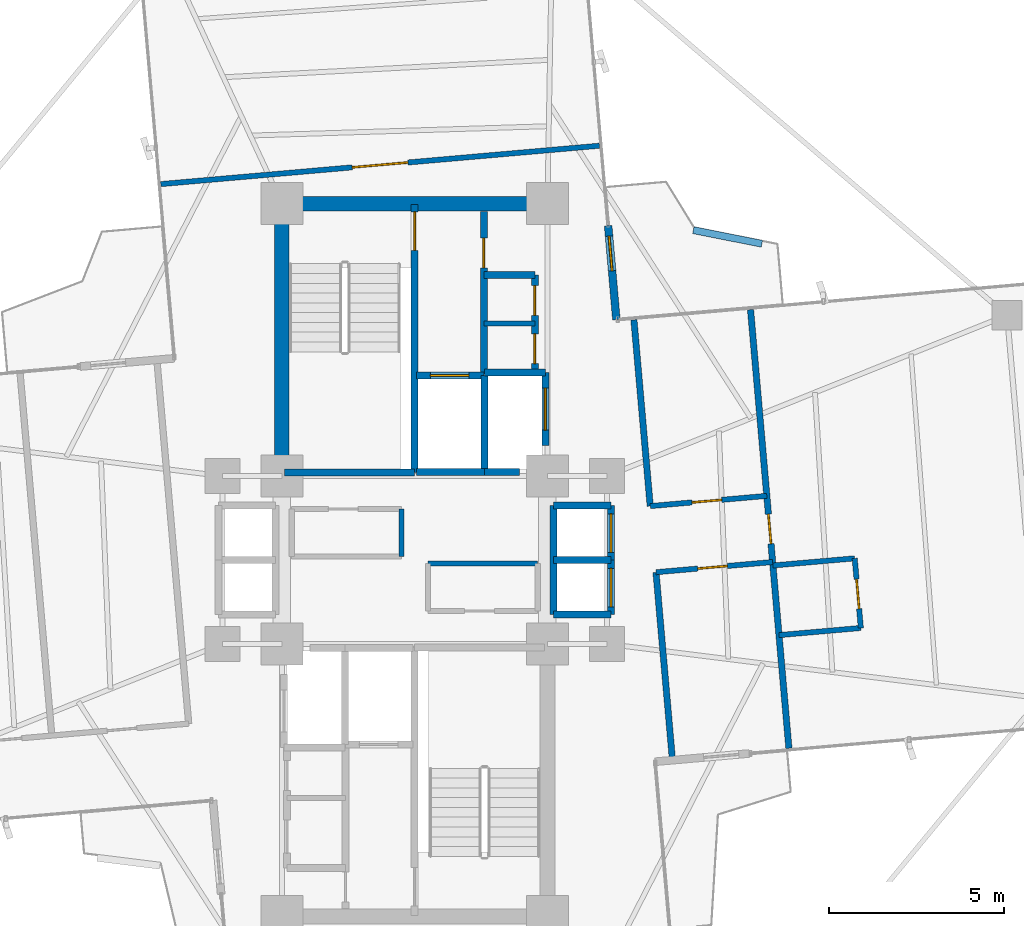
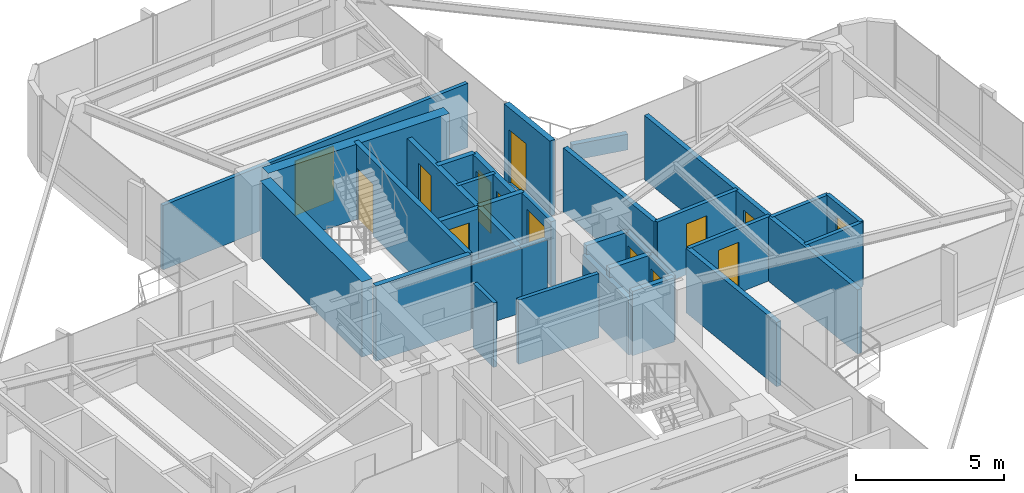
# One storey, part 22 of 24: 33 walls, 14 doors, 14 openings.
"""IFC4 building model written with IfcOpenShell, lengths in metres."""

from ifc_helpers import new_model, si_unit, direction, frame, frame_2d, origin, origin_2d, place, context, subcontext, project, spatial, rectangle, extrude, source, transform, mapped, material, layer, layer_set, type_object, element, fill, save


model = new_model("IFC4")

# Units and contexts
model_context = context("Model", 3, precision=1e-05, world=origin(), true_north=direction((0.0, 1.0)))
body_context = subcontext(model_context, "Body", "Model", "MODEL_VIEW")
ifc_project = project(units=[si_unit("LENGTHUNIT", "METRE"), si_unit("AREAUNIT", "SQUARE_METRE"), si_unit("VOLUMEUNIT", "CUBIC_METRE"), si_unit("PLANEANGLEUNIT", "RADIAN"), si_unit("MASSUNIT", "GRAM", prefix="KILO")], contexts=[model_context])

# Site, building, storey
site_placement = place(None, origin())
site = spatial("IfcSite", under=ifc_project, at=site_placement, CompositionType="ELEMENT")
building_placement = place(site_placement, origin())
building = spatial("IfcBuilding", under=site, at=building_placement, Name="Sahyath Konkavel Grand Hotel", CompositionType="ELEMENT")
storey_placement = place(building_placement, frame((0.0, 0.0, 195.300048828125)))
storey = spatial("IfcBuildingStorey", under=building, at=storey_placement, Name="L54", CompositionType="ELEMENT", Elevation=195.300048828125)

# Walls
ifc_material_1 = material(Name="Concrete C50/60", Category="concrete")
ifc_layer_1 = layer(ifc_material_1, 0.419921875)
ifc_layer_set_1 = layer_set([ifc_layer_1], Name="Concrete C50/60")
wall_type_1 = type_object("IfcWallType", Name="CWALL-420", PredefinedType="SHEAR", material=ifc_layer_set_1)
wall_1_placement = place(storey_placement, frame((-3.550048828125, 10.199951171875, 0.0), z_axis=(0.0, 0.0, 1.0), x_axis=(1.0, 0.0, 0.0)))
element("IfcWall", 1, at=wall_1_placement, inside=storey, type_object=wall_type_1, Name="L54 North Core Shear Wall N", PredefinedType="SHEAR", context=body_context, shape_type="SweptSolid", body=[
    extrude(rectangle(XDim=7.10009765625, YDim=0.419921875, at=frame_2d((3.550048828125, 0.0))), origin(), (0.0, 0.0, 1.0), 3.10986328125),
])
wall_2_placement = place(storey_placement, frame((-3.800048828125, 2.85009765625, 0.0), z_axis=(0.0, 0.0, 1.0), x_axis=(0.0, 1.0, 0.0)))
element("IfcWall", 2, at=wall_2_placement, inside=storey, type_object=wall_type_1, Name="L54 North Core Shear Wall W", PredefinedType="SHEAR", context=body_context, shape_type="SweptSolid", body=[
    extrude(rectangle(XDim=6.89990234375, YDim=0.419921875, at=frame_2d((3.449951171875, 0.0))), origin(), (0.0, 0.0, 1.0), 3.10986328125),
])

# Wall, opening, door
ifc_material_2 = material(Name="Warm Buff Sandstone Insulated Concrete C40/50", Category="masonry")
ifc_layer_2 = layer(ifc_material_2, 0.219970703125)
ifc_layer_set_2 = layer_set([ifc_layer_2], Name="Warm Buff Sandstone Insulated Concrete C40/50")
wall_type_2 = type_object("IfcWallType", Name="WLL-BALC-THRESH", PredefinedType="STANDARD", material=ifc_layer_set_2)
wall_3_placement = place(storey_placement, frame((5.7724609375, 6.87939453125, 0.0), z_axis=(0.0, 0.0, 1.0), x_axis=(-0.087168071984, 0.996193619346, 0.0)))
wall_3 = element("IfcWall", 3, at=wall_3_placement, inside=storey, type_object=wall_type_2, Name="L54 Winter-Garden Threshold Wall 8", PredefinedType="STANDARD", context=body_context, shape_type="SweptSolid", body=[
    extrude(rectangle(XDim=2.699951171875, YDim=0.219970703125, at=frame_2d((1.35009765625, 0.0))), origin(), (0.0, 0.0, 1.0), 3.10986328125),
])
opening_1_placement = place(wall_3_placement, frame((1.39990234375, 0.0, 0.0)))
opening_1 = element("IfcOpeningElement", 4, at=opening_1_placement, cuts=wall_3, Name="Opening D-TR1", PredefinedType="OPENING", context=body_context, shape_type="SweptSolid", body=[
    extrude(rectangle(XDim=1.0, YDim=2.199951171875, at=frame_2d((0.5, 1.10009765625))), frame((0.0, 0.1201171875, 0.0), z_axis=(0.0, -1.0, 0.0), x_axis=(1.0, 0.0, 0.0)), (0.0, 0.0, 1.0), 0.239990234375),
])
ifc_material_3 = material(Name="Anodised Bronze Aluminium & Low-E Glazing", Category="aluminium")
door_type_1 = type_object("IfcDoorType", Name="DR-TERRACE-1000", OperationType="NOTDEFINED", PredefinedType="DOOR", material=ifc_material_3)
shared_shape_1 = source(origin(), body_context, "Body", "SweptSolid", [
    extrude(rectangle(XDim=1.0, YDim=0.050048828125, at=origin_2d()), origin(), (0.0, 0.0, 1.0), 2.199951171875),
])
door_1_placement = place(opening_1_placement, frame((0.5, 0.0, 0.0)))
door_1 = element("IfcDoor", 5, at=door_1_placement, inside=storey, type_object=door_type_1, Name="L54 Winter-Garden Terrace Door 8", OperationType="SINGLE_SWING_LEFT", OverallHeight=2.199951171875, OverallWidth=1.0, PredefinedType="DOOR", context=body_context, shape_type="MappedRepresentation", body=[
    mapped(shared_shape_1, transform((0.0, 0.0, 0.0), scale=1.0)),
])
fill(opening_1, door_1)

ifc_material_4 = material(Name="Concrete C40/50", Category="concrete")
ifc_layer_3 = layer(ifc_material_4, 0.199951171875)
ifc_layer_set_3 = layer_set([ifc_layer_3], Name="Concrete C40/50")
wall_type_3 = type_object("IfcWallType", Name="WLL-CORE-200", PredefinedType="SOLIDWALL", material=ifc_layer_set_3)
wall_4_placement = place(storey_placement, frame((0.0, 2.5, 0.0), z_axis=(0.0, 0.0, 1.0), x_axis=(0.0, 1.0, 0.0)))
wall_4 = element("IfcWall", 6, at=wall_4_placement, inside=storey, type_object=wall_type_3, Name="L54 Stair ST-1 Shaft Wall E", PredefinedType="SOLIDWALL", context=body_context, shape_type="SweptSolid", body=[
    extrude(rectangle(XDim=7.679931640625, YDim=0.199951171875, at=frame_2d((3.83984375, 0.0))), origin(), (0.0, 0.0, 1.0), 3.10986328125),
])
opening_2_placement = place(wall_4_placement, frame((6.360107421875, 0.0, 0.0)))
opening_2 = element("IfcOpeningElement", 7, at=opening_2_placement, cuts=wall_4, Name="Opening D-F12B", PredefinedType="OPENING", context=body_context, shape_type="SweptSolid", body=[
    extrude(rectangle(XDim=1.10009765625, YDim=2.14990234375, at=frame_2d((0.550048828125, 1.074951171875))), frame((0.0, 0.10986328125, 0.0), z_axis=(0.0, -1.0, 0.0), x_axis=(1.0, 0.0, 0.0)), (0.0, 0.0, 1.0), 0.219970703125),
])
ifc_material_5 = material(Name="Steel E350 Smokeproof Fire Door", Category="steel")
door_type_2 = type_object("IfcDoorType", Name="DR-FD120-1100", OperationType="NOTDEFINED", PredefinedType="DOOR", material=ifc_material_5)
shared_shape_2 = source(origin(), body_context, "Body", "SweptSolid", [
    extrude(rectangle(XDim=1.10009765625, YDim=0.050048828125, at=origin_2d()), origin(), (0.0, 0.0, 1.0), 2.14990234375),
])
door_2_placement = place(opening_2_placement, frame((0.550048828125, 0.0, 0.0)))
door_2 = element("IfcDoor", 8, at=door_2_placement, inside=storey, type_object=door_type_2, Name="L54 Stair ST-1 Fire Door", OperationType="SINGLE_SWING_RIGHT", OverallHeight=2.14990234375, OverallWidth=1.10009765625, PredefinedType="DOOR", context=body_context, shape_type="MappedRepresentation", body=[
    mapped(shared_shape_2, transform((0.0, 0.0, 0.0), scale=1.0)),
])
fill(opening_2, door_2)

# Wall
wall_5_placement = place(storey_placement, frame((-3.719970703125, 2.5, 0.0), z_axis=(0.0, 0.0, 1.0), x_axis=(1.0, 0.0, 0.0)))
element("IfcWall", 9, at=wall_5_placement, inside=storey, type_object=wall_type_3, Name="L54 Stair ST-1 Shaft Wall S", PredefinedType="SOLIDWALL", context=body_context, shape_type="SweptSolid", body=[
    extrude(rectangle(XDim=3.719970703125, YDim=0.199951171875, at=frame_2d((1.85986328125, 0.0))), origin(), (0.0, 0.0, 1.0), 3.10986328125),
])

# Wall, opening, door
wall_6_placement = place(storey_placement, frame((1.97998046875, 5.320068359375, 0.0), z_axis=(0.0, 0.0, 1.0), x_axis=(0.0, 1.0, 0.0)))
wall_6 = element("IfcWall", 10, at=wall_6_placement, inside=storey, type_object=wall_type_3, Name="L54 North Firefighting Lobby Wall E", PredefinedType="SOLIDWALL", context=body_context, shape_type="SweptSolid", body=[
    extrude(rectangle(XDim=4.659912109375, YDim=0.199951171875, at=frame_2d((2.330078125, 0.0))), origin(), (0.0, 0.0, 1.0), 2.659912109375),
])
opening_3_placement = place(wall_6_placement, frame((3.0400390625, 0.0, 0.0)))
opening_3 = element("IfcOpeningElement", 11, at=opening_3_placement, cuts=wall_6, Name="Opening D-F12D", PredefinedType="OPENING", context=body_context, shape_type="SweptSolid", body=[
    extrude(rectangle(XDim=0.85009765625, YDim=2.10009765625, at=frame_2d((0.425048828125, 1.050048828125))), frame((0.0, 0.10986328125, 0.0), z_axis=(0.0, -1.0, 0.0), x_axis=(1.0, 0.0, 0.0)), (0.0, 0.0, 1.0), 0.219970703125),
])
ifc_material_6 = material(Name="Steel E350 Core Fire Door", Category="steel")
door_type_3 = type_object("IfcDoorType", Name="DR-FD120-850", OperationType="NOTDEFINED", PredefinedType="DOOR", material=ifc_material_6)
shared_shape_3 = source(origin(), body_context, "Body", "SweptSolid", [
    extrude(rectangle(XDim=0.85009765625, YDim=0.050048828125, at=origin_2d()), origin(), (0.0, 0.0, 1.0), 2.10009765625),
])
door_3_placement = place(opening_3_placement, frame((0.425048828125, 0.0, 0.0)))
door_3 = element("IfcDoor", 12, at=door_3_placement, inside=storey, type_object=door_type_3, Name="L54 North Firefighting Lobby Door", OperationType="SINGLE_SWING_RIGHT", OverallHeight=2.10009765625, OverallWidth=0.85009765625, PredefinedType="DOOR", context=body_context, shape_type="MappedRepresentation", body=[
    mapped(shared_shape_3, transform((0.0, 0.0, 0.0), scale=1.0)),
])
fill(opening_3, door_3)

# Walls
wall_7_placement = place(storey_placement, frame((2.0, 2.5, 0.0), z_axis=(0.0, 0.0, 1.0), x_axis=(0.0, 1.0, 0.0)))
element("IfcWall", 13, at=wall_7_placement, inside=storey, type_object=wall_type_3, Name="L54 Partition SH-FFL1-E", PredefinedType="SOLIDWALL", context=body_context, shape_type="SweptSolid", body=[
    extrude(rectangle(XDim=2.780029296875, YDim=0.199951171875, at=frame_2d((1.39013671875, 0.0))), origin(), (0.0, 0.0, 1.0), 2.659912109375),
])
wall_8_placement = place(storey_placement, frame((0.050048828125, 2.52001953125, 0.0), z_axis=(0.0, 0.0, 1.0), x_axis=(1.0, 0.0, 0.0)))
element("IfcWall", 14, at=wall_8_placement, inside=storey, type_object=wall_type_3, Name="L54 Partition SH-FFL1-S", PredefinedType="SOLIDWALL", context=body_context, shape_type="SweptSolid", body=[
    extrude(rectangle(XDim=1.949951171875, YDim=0.199951171875, at=frame_2d((0.97509765625, 0.0))), origin(), (0.0, 0.0, 1.0), 2.659912109375),
])

# Wall, opening, door
wall_9_placement = place(storey_placement, frame((0.050048828125, 5.280029296875, 0.0), z_axis=(0.0, 0.0, 1.0), x_axis=(1.0, 0.0, 0.0)))
wall_9 = element("IfcWall", 15, at=wall_9_placement, inside=storey, type_object=wall_type_3, Name="L54 Partition SH-FFL1-N", PredefinedType="SOLIDWALL", context=body_context, shape_type="SweptSolid", body=[
    extrude(rectangle(XDim=1.929931640625, YDim=0.199951171875, at=frame_2d((0.96484375, 0.0))), origin(), (0.0, 0.0, 1.0), 2.659912109375),
])
opening_4_placement = place(wall_9_placement, frame((0.39990234375, 0.0, 0.0)))
opening_4 = element("IfcOpeningElement", 16, at=opening_4_placement, cuts=wall_9, Name="Opening LD-11", PredefinedType="OPENING", context=body_context, shape_type="SweptSolid", body=[
    extrude(rectangle(XDim=1.10009765625, YDim=2.199951171875, at=frame_2d((0.550048828125, 1.10009765625))), frame((0.0, 0.10986328125, 0.0), z_axis=(0.0, -1.0, 0.0), x_axis=(1.0, 0.0, 0.0)), (0.0, 0.0, 1.0), 0.219970703125),
])
ifc_material_7 = material(Name="Bronze Lift Landing Door 1100")
door_type_4 = type_object("IfcDoorType", Name="DR-LIFT-1100", OperationType="DOUBLE_DOOR_SLIDING", PredefinedType="DOOR", material=ifc_material_7)
shared_shape_4 = source(origin(), body_context, "Body", "SweptSolid", [
    extrude(rectangle(XDim=1.10009765625, YDim=0.050048828125, at=origin_2d()), origin(), (0.0, 0.0, 1.0), 2.199951171875),
])
door_4_placement = place(opening_4_placement, frame((0.550048828125, 0.0, 0.0)))
door_4 = element("IfcDoor", 17, at=door_4_placement, inside=storey, type_object=door_type_4, Name="L54 Lift FFL-1 Landing Door", OperationType="DOUBLE_DOOR_SLIDING", OverallHeight=2.199951171875, OverallWidth=1.10009765625, PredefinedType="DOOR", context=body_context, shape_type="MappedRepresentation", body=[
    mapped(shared_shape_4, transform((0.0, 0.0, 0.0), scale=1.0)),
])
fill(opening_4, door_4)

# Walls
wall_10_placement = place(storey_placement, frame((2.0, 2.52001953125, 0.0), z_axis=(0.0, 0.0, 1.0), x_axis=(1.0, 0.0, 0.0)))
element("IfcWall", 18, at=wall_10_placement, inside=storey, type_object=wall_type_3, Name="L54 Partition SH-SVL1-S", PredefinedType="SOLIDWALL", context=body_context, shape_type="SweptSolid", body=[
    extrude(rectangle(XDim=1.0, YDim=0.199951171875, at=frame_2d((0.5, 0.0))), origin(), (0.0, 0.0, 1.0), 2.659912109375),
])
wall_11_placement = place(storey_placement, frame((2.0, 5.360107421875, 0.0), z_axis=(0.0, 0.0, 1.0), x_axis=(1.0, 0.0, 0.0)))
element("IfcWall", 19, at=wall_11_placement, inside=storey, type_object=wall_type_3, Name="L54 Partition SH-SVL1-N", PredefinedType="SOLIDWALL", context=body_context, shape_type="SweptSolid", body=[
    extrude(rectangle(XDim=1.739990234375, YDim=0.199951171875, at=frame_2d((0.8701171875, 0.0))), origin(), (0.0, 0.0, 1.0), 2.659912109375),
])

# Wall, opening, door
wall_12_placement = place(storey_placement, frame((3.739990234375, 3.280029296875, 0.0), z_axis=(0.0, 0.0, 1.0), x_axis=(0.0, 1.0, 0.0)))
wall_12 = element("IfcWall", 20, at=wall_12_placement, inside=storey, type_object=wall_type_3, Name="L54 Partition SH-SVL1-E", PredefinedType="SOLIDWALL", context=body_context, shape_type="SweptSolid", body=[
    extrude(rectangle(XDim=2.080078125, YDim=0.199951171875, at=frame_2d((1.0400390625, 0.0))), origin(), (0.0, 0.0, 1.0), 2.659912109375),
])
opening_5_placement = place(wall_12_placement, frame((0.43994140625, 0.0, 0.0)))
opening_5 = element("IfcOpeningElement", 21, at=opening_5_placement, cuts=wall_12, Name="Opening LD-12", PredefinedType="OPENING", context=body_context, shape_type="SweptSolid", body=[
    extrude(rectangle(XDim=1.199951171875, YDim=2.199951171875, at=frame_2d((0.60009765625, 1.10009765625))), frame((0.0, 0.10986328125, 0.0), z_axis=(0.0, -1.0, 0.0), x_axis=(1.0, 0.0, 0.0)), (0.0, 0.0, 1.0), 0.219970703125),
])
ifc_material_8 = material(Name="Stainless Steel Lift Landing Door 1200", Category="steel")
door_type_5 = type_object("IfcDoorType", Name="DR-LIFT-1200", OperationType="DOUBLE_DOOR_SLIDING", PredefinedType="DOOR", material=ifc_material_8)
shared_shape_5 = source(origin(), body_context, "Body", "SweptSolid", [
    extrude(rectangle(XDim=1.199951171875, YDim=0.050048828125, at=origin_2d()), origin(), (0.0, 0.0, 1.0), 2.199951171875),
])
door_5_placement = place(opening_5_placement, frame((0.60009765625, 0.0, 0.0)))
door_5 = element("IfcDoor", 22, at=door_5_placement, inside=storey, type_object=door_type_5, Name="L54 Service Lift SVL-1 Landing Door", OperationType="DOUBLE_DOOR_SLIDING", OverallHeight=2.199951171875, OverallWidth=1.199951171875, PredefinedType="DOOR", context=body_context, shape_type="MappedRepresentation", body=[
    mapped(shared_shape_5, transform((0.0, 0.0, 0.0), scale=1.0)),
])
fill(opening_5, door_5)

# Walls
wall_13_placement = place(storey_placement, frame((3.97998046875, -1.56005859375, 0.0), z_axis=(0.0, 0.0, 1.0), x_axis=(0.0, 1.0, 0.0)))
element("IfcWall", 23, at=wall_13_placement, inside=storey, type_object=wall_type_3, Name="L54 Partition SH-PL56-W", PredefinedType="SOLIDWALL", context=body_context, shape_type="SweptSolid", body=[
    extrude(rectangle(XDim=3.1201171875, YDim=0.199951171875, at=frame_2d((1.56005859375, 0.0))), origin(), (0.0, 0.0, 1.0), 2.280029296875),
])
for number, where, z_axis, x_axis, name in (
    (24, (3.97998046875, 1.56005859375, 0.0), (0.0, 0.0, 1.0), (1.0, 0.0, 0.0), "L54 Partition SH-PL56-N"),
    (25, (3.97998046875, -1.56005859375, 0.0), (0.0, 0.0, 1.0), (1.0, 0.0, 0.0), "L54 Partition SH-PL56-S"),
    (26, (3.97998046875, 0.0, 0.0), (0.0, 0.0, 1.0), (1.0, 0.0, 0.0), "L54 Partition SH-PL56-M"),
):
    element("IfcWall", number, at=place(storey_placement, frame(where, z_axis=z_axis, x_axis=x_axis)), inside=storey, type_object=wall_type_3, Name=name, PredefinedType="SOLIDWALL", context=body_context, shape_type="SweptSolid", body=[
        extrude(rectangle(XDim=1.64013671875, YDim=0.199951171875, at=frame_2d((0.820068359375, 0.0))), origin(), (0.0, 0.0, 1.0), 2.659912109375),
    ])

# Wall, opening, door
wall_14_placement = place(storey_placement, frame((5.6201171875, 0.0, 0.0), z_axis=(0.0, 0.0, 1.0), x_axis=(0.0, 1.0, 0.0)))
wall_14 = element("IfcWall", 27, at=wall_14_placement, inside=storey, type_object=wall_type_3, Name="L54 Partition SH-PL5-E", PredefinedType="SOLIDWALL", context=body_context, shape_type="SweptSolid", body=[
    extrude(rectangle(XDim=1.56005859375, YDim=0.199951171875, at=frame_2d((0.780029296875, 0.0))), origin(), (0.0, 0.0, 1.0), 2.659912109375),
])
opening_6_placement = place(wall_14_placement, frame((0.219970703125, 0.0, 0.0)))
opening_6 = element("IfcOpeningElement", 28, at=opening_6_placement, cuts=wall_14, Name="Opening LD-11", PredefinedType="OPENING", context=body_context, shape_type="SweptSolid", body=[
    extrude(rectangle(XDim=1.10009765625, YDim=2.199951171875, at=frame_2d((0.550048828125, 1.10009765625))), frame((0.0, 0.10986328125, 0.0), z_axis=(0.0, -1.0, 0.0), x_axis=(1.0, 0.0, 0.0)), (0.0, 0.0, 1.0), 0.219970703125),
])
door_6_placement = place(opening_6_placement, frame((0.550048828125, 0.0, 0.0)))
door_6 = element("IfcDoor", 29, at=door_6_placement, inside=storey, type_object=door_type_4, Name="L54 High-Rise Lift PL-5 Landing Door", OperationType="DOUBLE_DOOR_SLIDING", OverallHeight=2.199951171875, OverallWidth=1.10009765625, PredefinedType="DOOR", context=body_context, shape_type="MappedRepresentation", body=[
    mapped(shared_shape_4, transform((0.0, 0.0, 0.0), scale=1.0)),
])
fill(opening_6, door_6)

wall_15_placement = place(storey_placement, frame((5.6201171875, -1.56005859375, 0.0), z_axis=(0.0, 0.0, 1.0), x_axis=(0.0, 1.0, 0.0)))
wall_15 = element("IfcWall", 30, at=wall_15_placement, inside=storey, type_object=wall_type_3, Name="L54 Partition SH-PL6-E", PredefinedType="SOLIDWALL", context=body_context, shape_type="SweptSolid", body=[
    extrude(rectangle(XDim=1.56005859375, YDim=0.199951171875, at=frame_2d((0.780029296875, 0.0))), origin(), (0.0, 0.0, 1.0), 2.659912109375),
])
opening_7_placement = place(wall_15_placement, frame((0.219970703125, 0.0, 0.0)))
opening_7 = element("IfcOpeningElement", 31, at=opening_7_placement, cuts=wall_15, Name="Opening LD-11", PredefinedType="OPENING", context=body_context, shape_type="SweptSolid", body=[
    extrude(rectangle(XDim=1.10009765625, YDim=2.199951171875, at=frame_2d((0.550048828125, 1.10009765625))), frame((0.0, 0.10986328125, 0.0), z_axis=(0.0, -1.0, 0.0), x_axis=(1.0, 0.0, 0.0)), (0.0, 0.0, 1.0), 0.219970703125),
])
door_7_placement = place(opening_7_placement, frame((0.550048828125, 0.0, 0.0)))
door_7 = element("IfcDoor", 32, at=door_7_placement, inside=storey, type_object=door_type_4, Name="L54 High-Rise Lift PL-6 Landing Door", OperationType="DOUBLE_DOOR_SLIDING", OverallHeight=2.199951171875, OverallWidth=1.10009765625, PredefinedType="DOOR", context=body_context, shape_type="MappedRepresentation", body=[
    mapped(shared_shape_4, transform((0.0, 0.0, 0.0), scale=1.0)),
])
fill(opening_7, door_7)

# Wall, openings, doors
wall_16_placement = place(storey_placement, frame((3.43994140625, 5.3798828125, 0.0), z_axis=(0.0, 0.0, 1.0), x_axis=(0.0, 1.0, 0.0)))
wall_16 = element("IfcWall", 33, at=wall_16_placement, inside=storey, type_object=wall_type_3, Name="L54 Reclaimed North Core Wall E", PredefinedType="SOLIDWALL", context=body_context, shape_type="SweptSolid", body=[
    extrude(rectangle(XDim=2.77001953125, YDim=0.199951171875, at=frame_2d((1.385009765625, 0.0))), origin(), (0.0, 0.0, 1.0), 2.659912109375),
])
opening_8_placement = place(wall_16_placement, frame((0.239990234375, 0.0, 0.0)))
opening_8 = element("IfcOpeningElement", 34, at=opening_8_placement, cuts=wall_16, Name="Opening D-F06D", PredefinedType="OPENING", context=body_context, shape_type="SweptSolid", body=[
    extrude(rectangle(XDim=0.85009765625, YDim=2.10009765625, at=frame_2d((0.425048828125, 1.050048828125))), frame((0.0, 0.10986328125, 0.0), z_axis=(0.0, -1.0, 0.0), x_axis=(1.0, 0.0, 0.0)), (0.0, 0.0, 1.0), 0.219970703125),
])
opening_9_placement = place(wall_16_placement, frame((1.6201171875, 0.0, 0.0)))
opening_9 = element("IfcOpeningElement", 35, at=opening_9_placement, cuts=wall_16, Name="Opening D-F06D", PredefinedType="OPENING", context=body_context, shape_type="SweptSolid", body=[
    extrude(rectangle(XDim=0.85009765625, YDim=2.10009765625, at=frame_2d((0.425048828125, 1.050048828125))), frame((0.0, 0.10986328125, 0.0), z_axis=(0.0, -1.0, 0.0), x_axis=(1.0, 0.0, 0.0)), (0.0, 0.0, 1.0), 0.219970703125),
])
ifc_material_9 = material(Name="Fire-Rated Shaft Access Door")
door_type_6 = type_object("IfcDoorType", Name="DR-FD60-850", OperationType="NOTDEFINED", PredefinedType="DOOR", material=ifc_material_9)
door_8_placement = place(opening_8_placement, frame((0.425048828125, 0.0, 0.0)))
door_8 = element("IfcDoor", 36, at=door_8_placement, inside=storey, type_object=door_type_6, Name="L54 Door NC-REC1-D", OperationType="SINGLE_SWING_RIGHT", OverallHeight=2.10009765625, OverallWidth=0.85009765625, PredefinedType="DOOR", context=body_context, shape_type="MappedRepresentation", body=[
    mapped(shared_shape_3, transform((0.0, 0.0, 0.0), scale=1.0)),
])
fill(opening_8, door_8)
door_9_placement = place(opening_9_placement, frame((0.425048828125, 0.0, 0.0)))
door_9 = element("IfcDoor", 37, at=door_9_placement, inside=storey, type_object=door_type_6, Name="L54 Door NC-REC2-D", OperationType="SINGLE_SWING_LEFT", OverallHeight=2.10009765625, OverallWidth=0.85009765625, PredefinedType="DOOR", context=body_context, shape_type="MappedRepresentation", body=[
    mapped(shared_shape_3, transform((0.0, 0.0, 0.0), scale=1.0)),
])
fill(opening_9, door_9)

# Walls
wall_17_placement = place(storey_placement, frame((1.97998046875, 8.14990234375, 0.0), z_axis=(0.0, 0.0, 1.0), x_axis=(1.0, 0.0, 0.0)))
element("IfcWall", 38, at=wall_17_placement, inside=storey, type_object=wall_type_3, Name="L54 Partition NC-REC-N", PredefinedType="SOLIDWALL", context=body_context, shape_type="SweptSolid", body=[
    extrude(rectangle(XDim=1.4599609375, YDim=0.199951171875, at=frame_2d((0.72998046875, 0.0))), origin(), (0.0, 0.0, 1.0), 2.659912109375),
])
ifc_material_10 = material(Name="Twin-Stud Acoustic Gypsum Plasterboard Partition")
ifc_layer_4 = layer(ifc_material_10, 0.179931640625)
ifc_layer_set_4 = layer_set([ifc_layer_4], Name="Twin-Stud Acoustic Gypsum Plasterboard Partition")
wall_type_4 = type_object("IfcWallType", Name="WLL-DEMISE-180", PredefinedType="PARTITIONING", material=ifc_layer_set_4)
for number, where, z_axis, x_axis, name in (
    (39, (6.7412109375, 1.54345703125, 0.0), (0.0, 0.0, 1.0), (-0.087161289348, 0.996194212812, 0.0), "L54 Partition E-INL"),
    (40, (7.373046875, -5.678955078125, 0.0), (0.0, 0.0, 1.0), (-0.087161289348, 0.996194212812, 0.0), "L54 Partition E-INR"),
):
    element("IfcWall", number, at=place(storey_placement, frame(where, z_axis=z_axis, x_axis=x_axis)), inside=storey, type_object=wall_type_4, Name=name, PredefinedType="PARTITIONING", context=body_context, shape_type="SweptSolid", body=[
        extrude(rectangle(XDim=5.349853515625, YDim=0.179931640625, at=frame_2d((2.6748046875, 0.0))), origin(), (0.0, 0.0, 1.0), 2.659912109375),
    ])

# Wall, opening, door
wall_18_placement = place(storey_placement, frame((10.710205078125, -5.386962890625, 0.0), z_axis=(0.0, 0.0, 1.0), x_axis=(-0.087154691724, 0.996194790044, 0.0)))
wall_18 = element("IfcWall", 41, at=wall_18_placement, inside=storey, type_object=wall_type_4, Name="L54 Partition E-ETIP-END", PredefinedType="PARTITIONING", context=body_context, shape_type="SweptSolid", body=[
    extrude(rectangle(XDim=12.599853515625, YDim=0.179931640625, at=frame_2d((6.2998046875, 0.0))), origin(), (0.0, 0.0, 1.0), 2.659912109375),
])
opening_10_placement = place(wall_18_placement, frame((5.875, 0.0, 0.0)))
opening_10 = element("IfcOpeningElement", 42, at=opening_10_placement, cuts=wall_18, Name="Opening D-F06D", PredefinedType="OPENING", context=body_context, shape_type="SweptSolid", body=[
    extrude(rectangle(XDim=0.85009765625, YDim=2.10009765625, at=frame_2d((0.425048828125, 1.050048828125))), frame((0.0, 0.10009765625, 0.0), z_axis=(0.0, -1.0, 0.0), x_axis=(1.0, 0.0, 0.0)), (0.0, 0.0, 1.0), 0.199951171875),
])
door_10_placement = place(opening_10_placement, frame((0.425048828125, 0.0, 0.0)))
door_10 = element("IfcDoor", 43, at=door_10_placement, inside=storey, type_object=door_type_6, Name="L54 Door E-ETIP-ED", OperationType="SINGLE_SWING_LEFT", OverallHeight=2.10009765625, OverallWidth=0.85009765625, PredefinedType="DOOR", context=body_context, shape_type="MappedRepresentation", body=[
    mapped(shared_shape_3, transform((0.0, 0.0, 0.0), scale=1.0)),
])
fill(opening_10, door_10)

# Walls
ifc_material_11 = material(Name="Fire-Rated Gypsum Plasterboard Partition")
ifc_layer_5 = layer(ifc_material_11, 0.14990234375)
ifc_layer_set_5 = layer_set([ifc_layer_5], Name="Fire-Rated Gypsum Plasterboard Partition")
wall_type_5 = type_object("IfcWallType", Name="WLL-PART-150", PredefinedType="PARTITIONING", material=ifc_layer_set_5)
wall_19_placement = place(storey_placement, frame((1.97998046875, 6.77001953125, 0.0), z_axis=(0.0, 0.0, 1.0), x_axis=(1.0, 0.0, 0.0)))
element("IfcWall", 44, at=wall_19_placement, inside=storey, type_object=wall_type_5, Name="L54 Partition NC-REC-M1", PredefinedType="PARTITIONING", context=body_context, shape_type="SweptSolid", body=[
    extrude(rectangle(XDim=1.4599609375, YDim=0.14990234375, at=frame_2d((0.72998046875, 0.0))), origin(), (0.0, 0.0, 1.0), 2.659912109375),
])
wall_20_placement = place(storey_placement, frame((-0.3798828125, 0.10009765625, 0.0), z_axis=(0.0, 0.0, 1.0), x_axis=(0.0, 1.0, 0.0)))
element("IfcWall", 45, at=wall_20_placement, inside=storey, type_object=wall_type_5, Name="L54 Partition CC-3NWE", PredefinedType="PARTITIONING", context=body_context, shape_type="SweptSolid", body=[
    extrude(rectangle(XDim=1.35986328125, YDim=0.14990234375, at=frame_2d((0.679931640625, 0.0))), origin(), (0.0, 0.0, 1.0), 2.659912109375),
])
wall_21_placement = place(storey_placement, frame((0.3798828125, -0.10009765625, 0.0), z_axis=(0.0, 0.0, 1.0), x_axis=(1.0, 0.0, 0.0)))
element("IfcWall", 46, at=wall_21_placement, inside=storey, type_object=wall_type_5, Name="L54 Partition CC-3SEN", PredefinedType="PARTITIONING", context=body_context, shape_type="SweptSolid", body=[
    extrude(rectangle(XDim=3.14013671875, YDim=0.14990234375, at=frame_2d((1.570068359375, 0.0))), origin(), (0.0, 0.0, 1.0), 2.659912109375),
])

# Wall, opening, door
wall_22_placement = place(storey_placement, frame((6.7412109375, 1.54345703125, 0.0), z_axis=(0.0, 0.0, 1.0), x_axis=(0.996193954812, 0.087164238054, 0.0)))
wall_22 = element("IfcWall", 47, at=wall_22_placement, inside=storey, type_object=wall_type_5, Name="L54 Partition E-CL", PredefinedType="PARTITIONING", context=body_context, shape_type="SweptSolid", body=[
    extrude(rectangle(XDim=3.349853515625, YDim=0.14990234375, at=frame_2d((1.6748046875, 0.0))), origin(), (0.0, 0.0, 1.0), 2.659912109375),
])
opening_11_placement = place(wall_22_placement, frame((1.199951171875, 0.0, 0.0)))
opening_11 = element("IfcOpeningElement", 48, at=opening_11_placement, cuts=wall_22, Name="Opening D-F06D", PredefinedType="OPENING", context=body_context, shape_type="SweptSolid", body=[
    extrude(rectangle(XDim=0.85009765625, YDim=2.10009765625, at=frame_2d((0.425048828125, 1.050048828125))), frame((0.0, 0.0849609375, 0.0), z_axis=(0.0, -1.0, 0.0), x_axis=(1.0, 0.0, 0.0)), (0.0, 0.0, 1.0), 0.169921875),
])
door_11_placement = place(opening_11_placement, frame((0.425048828125, 0.0, 0.0)))
door_11 = element("IfcDoor", 49, at=door_11_placement, inside=storey, type_object=door_type_6, Name="L54 Door E-ES3L-D", OperationType="SINGLE_SWING_RIGHT", OverallHeight=2.10009765625, OverallWidth=0.85009765625, PredefinedType="DOOR", context=body_context, shape_type="MappedRepresentation", body=[
    mapped(shared_shape_3, transform((0.0, 0.0, 0.0), scale=1.0)),
])
fill(opening_11, door_11)

wall_23_placement = place(storey_placement, frame((6.90673828125, -0.349365234375, 0.0), z_axis=(0.0, 0.0, 1.0), x_axis=(0.996193954812, 0.087164238054, 0.0)))
wall_23 = element("IfcWall", 50, at=wall_23_placement, inside=storey, type_object=wall_type_5, Name="L54 Partition E-CR", PredefinedType="PARTITIONING", context=body_context, shape_type="SweptSolid", body=[
    extrude(rectangle(XDim=3.349853515625, YDim=0.14990234375, at=frame_2d((1.6748046875, 0.0))), origin(), (0.0, 0.0, 1.0), 2.659912109375),
])
opening_12_placement = place(wall_23_placement, frame((1.199951171875, 0.0, 0.0)))
opening_12 = element("IfcOpeningElement", 51, at=opening_12_placement, cuts=wall_23, Name="Opening D-F06D", PredefinedType="OPENING", context=body_context, shape_type="SweptSolid", body=[
    extrude(rectangle(XDim=0.85009765625, YDim=2.10009765625, at=frame_2d((0.425048828125, 1.050048828125))), frame((0.0, 0.0849609375, 0.0), z_axis=(0.0, -1.0, 0.0), x_axis=(1.0, 0.0, 0.0)), (0.0, 0.0, 1.0), 0.169921875),
])
door_12_placement = place(opening_12_placement, frame((0.425048828125, 0.0, 0.0)))
door_12 = element("IfcDoor", 52, at=door_12_placement, inside=storey, type_object=door_type_6, Name="L54 Door E-ES3R-D", OperationType="SINGLE_SWING_LEFT", OverallHeight=2.10009765625, OverallWidth=0.85009765625, PredefinedType="DOOR", context=body_context, shape_type="MappedRepresentation", body=[
    mapped(shared_shape_3, transform((0.0, 0.0, 0.0), scale=1.0)),
])
fill(opening_12, door_12)

# Walls
for number, where, z_axis, x_axis, name in (
    (53, (10.252685546875, -0.156982421875, 0.0), (0.0, 0.0, 1.0), (0.996194055785, 0.087163084034, 0.0), "L54 Partition E-ETIP-BN"),
    (54, (10.427001953125, -2.1494140625, 0.0), (0.0, 0.0, 1.0), (0.996194055785, 0.087163084034, 0.0), "L54 Partition E-ETIP-BS"),
):
    element("IfcWall", number, at=place(storey_placement, frame(where, z_axis=z_axis, x_axis=x_axis)), inside=storey, type_object=wall_type_5, Name=name, PredefinedType="PARTITIONING", context=body_context, shape_type="SweptSolid", body=[
        extrude(rectangle(XDim=2.35009765625, YDim=0.14990234375, at=frame_2d((1.175048828125, 0.0))), origin(), (0.0, 0.0, 1.0), 2.659912109375),
    ])

# Wall, opening, door
wall_24_placement = place(storey_placement, frame((12.76806640625, -1.944580078125, 0.0), z_axis=(0.0, 0.0, 1.0), x_axis=(-0.087156350505, 0.99619464492, 0.0)))
wall_24 = element("IfcWall", 55, at=wall_24_placement, inside=storey, type_object=wall_type_5, Name="L54 Partition E-ETIP-BE", PredefinedType="PARTITIONING", context=body_context, shape_type="SweptSolid", body=[
    extrude(rectangle(XDim=2.0, YDim=0.14990234375, at=frame_2d((1.0, 0.0))), origin(), (0.0, 0.0, 1.0), 2.659912109375),
])
opening_13_placement = place(wall_24_placement, frame((0.550048828125, 0.0, 0.0)))
opening_13 = element("IfcOpeningElement", 56, at=opening_13_placement, cuts=wall_24, Name="Opening D-BT85", PredefinedType="OPENING", context=body_context, shape_type="SweptSolid", body=[
    extrude(rectangle(XDim=0.85009765625, YDim=2.10009765625, at=frame_2d((0.425048828125, 1.050048828125))), frame((0.0, 0.0849609375, 0.0), z_axis=(0.0, -1.0, 0.0), x_axis=(1.0, 0.0, 0.0)), (0.0, 0.0, 1.0), 0.169921875),
])
ifc_material_12 = material(Name="Moisture-Resistant Teak Bathroom Door")
door_type_7 = type_object("IfcDoorType", Name="DR-BATH-850", OperationType="NOTDEFINED", PredefinedType="DOOR", material=ifc_material_12)
door_13_placement = place(opening_13_placement, frame((0.425048828125, 0.0, 0.0)))
door_13 = element("IfcDoor", 57, at=door_13_placement, inside=storey, type_object=door_type_7, Name="L54 Door E-ETIP-BD", OperationType="SINGLE_SWING_RIGHT", OverallHeight=2.10009765625, OverallWidth=0.85009765625, PredefinedType="DOOR", context=body_context, shape_type="MappedRepresentation", body=[
    mapped(shared_shape_3, transform((0.0, 0.0, 0.0), scale=1.0)),
])
fill(opening_13, door_13)

wall_25_placement = place(storey_placement, frame((5.286865234375, 11.85595703125, 0.0), z_axis=(0.0, 0.0, 1.0), x_axis=(-0.996194790044, -0.087154691724, 0.0)))
wall_25 = element("IfcWall", 58, at=wall_25_placement, inside=storey, type_object=wall_type_5, Name="L54 Partition N-SAL-IN", PredefinedType="PARTITIONING", context=body_context, shape_type="SweptSolid", body=[
    extrude(rectangle(XDim=12.599853515625, YDim=0.14990234375, at=frame_2d((6.2998046875, 0.0))), origin(), (0.0, 0.0, 1.0), 2.659912109375),
])
opening_14_placement = place(wall_25_placement, frame((5.5, 0.0, 0.0)))
opening_14 = element("IfcOpeningElement", 59, at=opening_14_placement, cuts=wall_25, Name="Opening D-DB16", PredefinedType="OPENING", context=body_context, shape_type="SweptSolid", body=[
    extrude(rectangle(XDim=1.60009765625, YDim=2.25, at=frame_2d((0.800048828125, 1.125))), frame((0.0, 0.0849609375, 0.0), z_axis=(0.0, -1.0, 0.0), x_axis=(1.0, 0.0, 0.0)), (0.0, 0.0, 1.0), 0.169921875),
])
ifc_material_13 = material(Name="Double Leaf Lounge Glazed Timber Door", Category="wood")
door_type_8 = type_object("IfcDoorType", Name="DR-DBL-1600", OperationType="DOUBLE_DOOR_SINGLE_SWING", PredefinedType="DOOR", material=ifc_material_13)
shared_shape_6 = source(origin(), body_context, "Body", "SweptSolid", [
    extrude(rectangle(XDim=1.60009765625, YDim=0.050048828125, at=origin_2d()), origin(), (0.0, 0.0, 1.0), 2.25),
])
door_14_placement = place(opening_14_placement, frame((0.800048828125, 0.0, 0.0)))
door_14 = element("IfcDoor", 60, at=door_14_placement, inside=storey, type_object=door_type_8, Name="L54 Door N-SAL-D", OperationType="DOUBLE_DOOR_SINGLE_SWING", OverallHeight=2.25, OverallWidth=1.60009765625, PredefinedType="DOOR", context=body_context, shape_type="MappedRepresentation", body=[
    mapped(shared_shape_6, transform((0.0, 0.0, 0.0), scale=1.0)),
])
fill(opening_14, door_14)

# Wall
ifc_material_14 = material(Name="Warm Buff Sandstone Planter Wall", Category="masonry")
ifc_layer_6 = layer(ifc_material_14, 0.199951171875)
ifc_layer_set_6 = layer_set([ifc_layer_6], Name="Warm Buff Sandstone Planter Wall")
wall_type_6 = type_object("IfcWallType", Name="WLL-PLANTER-200", PredefinedType="PARAPET", material=ifc_layer_set_6)
wall_26_placement = place(storey_placement, frame((9.93798828125, 9.049072265625, 0.0), z_axis=(0.0, 0.0, 1.0), x_axis=(-0.980636950017, 0.195834553288, 0.0)))
element("IfcWall", 61, at=wall_26_placement, inside=storey, type_object=wall_type_6, Name="L54 Sky-Garden Stone Planter PLANTER NE", PredefinedType="PARAPET", context=body_context, shape_type="SweptSolid", body=[
    extrude(rectangle(XDim=2.0009765625, YDim=0.199951171875, at=frame_2d((1.00048828125, 0.0))), origin(), (0.0, 0.0, 1.0), 0.64990234375),
])

save(model, "model.ifc")
